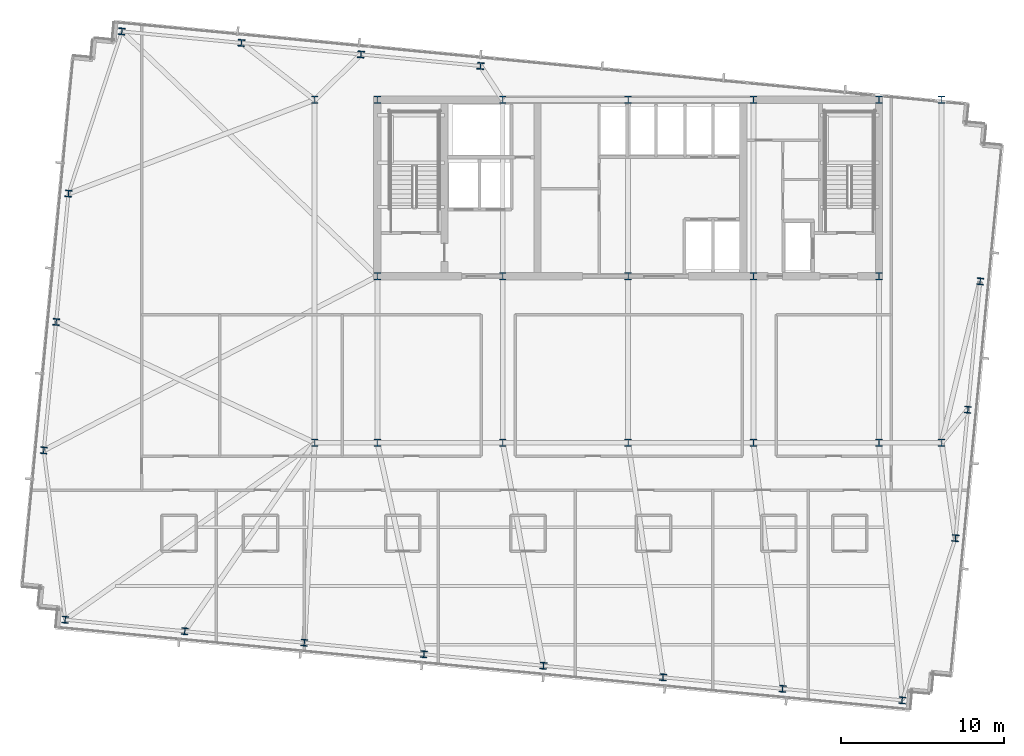
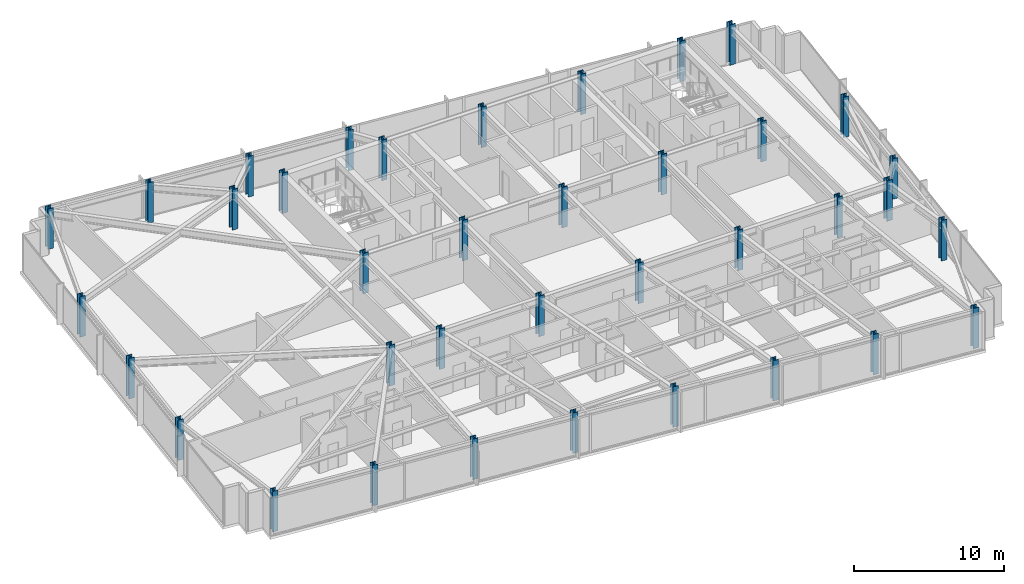
# One storey, part 1 of 37: 37 columns.
"""IFC4 building model written with IfcOpenShell, lengths in metres."""

from ifc_helpers import new_model, si_unit, direction, frame, origin, origin_2d, place, context, subcontext, project, spatial, i_section, extrude, material, material_profile, profile_set, type_object, element, save


model = new_model("IFC4")

# Units and contexts
model_context = context("Model", 3, precision=1e-05, world=origin(), true_north=direction((0.0, 1.0)))
body_context = subcontext(model_context, "Body", "Model", "MODEL_VIEW")
ifc_project = project(units=[si_unit("LENGTHUNIT", "METRE"), si_unit("AREAUNIT", "SQUARE_METRE"), si_unit("VOLUMEUNIT", "CUBIC_METRE"), si_unit("PLANEANGLEUNIT", "RADIAN"), si_unit("MASSUNIT", "GRAM", prefix="KILO")], contexts=[model_context])

# Site, building, storey
site_placement = place(None, origin())
site = spatial("IfcSite", under=ifc_project, at=site_placement, CompositionType="ELEMENT")
building_placement = place(site_placement, origin())
building = spatial("IfcBuilding", under=site, at=building_placement, Name="Yelkora Congress Tower", CompositionType="ELEMENT")
storey_placement = place(building_placement, frame((0.0, 0.0, 168.800048828125)))
storey = spatial("IfcBuildingStorey", under=building, at=storey_placement, Name="L46", CompositionType="ELEMENT", Elevation=168.800048828125)

# Columns
ifc_material = material(Name="Steel S460M", Category="steel")
ifc_material_profile_1 = material_profile(ifc_material, i_section(OverallWidth=0.406005859375, OverallDepth=0.416015625, WebThickness=0.02978515625, FlangeThickness=0.048095703125, FilletRadius=0.014892578125, at=origin_2d()), Name="HD 400x382")
ifc_profile_set_1 = profile_set([ifc_material_profile_1], Name="Steel S460M")
column_type_1 = type_object("IfcColumnType", Name="COL-HD-382-EXT", PredefinedType="COLUMN", material=ifc_profile_set_1)
for number, where, z_axis, x_axis, name in (
    (1, (3.919189453125, 14.357421875, 0.0), (0.0, 0.0, 1.0), (0.995396198367, -0.09584575252, 0.0), "L46 Perimeter Column S01"),
    (2, (11.242431640625, 13.652099609375, 0.0), (0.0, 0.0, 1.0), (0.995396198367, -0.09584575252, 0.0), "L46 Perimeter Column S02"),
    (3, (18.56591796875, 12.947021484375, 0.0), (0.0, 0.0, 1.0), (0.995396198367, -0.09584575252, 0.0), "L46 Perimeter Column S03"),
    (4, (25.888916015625, 12.24169921875, 0.0), (0.0, 0.0, 1.0), (0.995396198367, -0.09584575252, 0.0), "L46 Perimeter Column S04"),
    (5, (33.21240234375, 11.53662109375, 0.0), (0.0, 0.0, 1.0), (0.995396198367, -0.09584575252, 0.0), "L46 Perimeter Column S05"),
    (6, (40.53564453125, 10.83154296875, 0.0), (0.0, 0.0, 1.0), (0.995396198367, -0.09584575252, 0.0), "L46 Perimeter Column S06"),
    (7, (47.85888671875, 10.12646484375, 0.0), (0.0, 0.0, 1.0), (0.995396198367, -0.09584575252, 0.0), "L46 Perimeter Column S07"),
    (8, (55.18212890625, 9.421142578125, 0.0), (0.0, 0.0, 1.0), (0.995396198367, -0.09584575252, 0.0), "L46 Perimeter Column S08"),
    (9, (7.388916015625, 50.390625, 0.0), (0.0, 0.0, 1.0), (0.995396198367, -0.09584575252, 0.0), "L46 Perimeter Column N01"),
    (10, (14.712158203125, 49.685546875, 0.0), (0.0, 0.0, 1.0), (0.995396198367, -0.09584575252, 0.0), "L46 Perimeter Column N02"),
    (11, (22.035400390625, 48.980224609375, 0.0), (0.0, 0.0, 1.0), (0.995396198367, -0.09584575252, 0.0), "L46 Perimeter Column N03"),
    (12, (29.358642578125, 48.275146484375, 0.0), (0.0, 0.0, 1.0), (0.995396198367, -0.09584575252, 0.0), "L46 Perimeter Column N04"),
    (13, (2.607421875, 24.730712890625, 0.0), (0.0, 0.0, 1.0), (0.995396198367, -0.09584575252, 0.0), "L46 Perimeter Column W01"),
    (14, (58.44921875, 19.353759765625, 0.0), (0.0, 0.0, 1.0), (0.995396198367, -0.09584575252, 0.0), "L46 Perimeter Column E01"),
    (15, (3.364501953125, 32.594482421875, 0.0), (0.0, 0.0, 1.0), (0.995396198367, -0.09584575252, 0.0), "L46 Perimeter Column W02"),
    (16, (59.206298828125, 27.217529296875, 0.0), (0.0, 0.0, 1.0), (0.995396198367, -0.09584575252, 0.0), "L46 Perimeter Column E02"),
    (17, (4.121826171875, 40.4580078125, 0.0), (0.0, 0.0, 1.0), (0.995396198367, -0.09584575252, 0.0), "L46 Perimeter Column W03"),
    (18, (59.96337890625, 35.0810546875, 0.0), (0.0, 0.0, 1.0), (0.995396198367, -0.09584575252, 0.0), "L46 Perimeter Column E03"),
):
    element("IfcColumn", number, at=place(storey_placement, frame(where, z_axis=z_axis, x_axis=x_axis)), inside=storey, type_object=column_type_1, Name=name, PredefinedType="COLUMN", context=body_context, shape_type="SweptSolid", body=[
        extrude(i_section(OverallWidth=0.406005859375, OverallDepth=0.416015625, WebThickness=0.02978515625, FlangeThickness=0.048095703125, FilletRadius=0.014892578125, at=origin_2d()), origin(), (0.0, 0.0, 1.0), 3.300048828125),
    ])
ifc_material_profile_2 = material_profile(ifc_material, i_section(OverallWidth=0.41796875, OverallDepth=0.455078125, WebThickness=0.0419921875, FlangeThickness=0.068115234375, FilletRadius=0.014892578125, at=origin_2d()), Name="HD 400x551")
ifc_profile_set_2 = profile_set([ifc_material_profile_2], Name="Steel S460M")
column_type_2 = type_object("IfcColumnType", Name="COL-HD-551", PredefinedType="COLUMN", material=ifc_profile_set_2)
for number, where, z_axis, x_axis, name in (
    (19, (23.0400390625, 35.39990234375, 0.0), (0.0, 0.0, 1.0), (1.0, 0.0, 0.0), "L46 Mega Column MC-S1"),
    (20, (23.0400390625, 46.199951171875, 0.0), (0.0, 0.0, 1.0), (1.0, 0.0, 0.0), "L46 Mega Column MC-N1"),
    (21, (23.0400390625, 25.199951171875, 0.0), (0.0, 0.0, 1.0), (1.0, 0.0, 0.0), "L46 Mega Column MC-D1"),
    (22, (30.719970703125, 35.39990234375, 0.0), (0.0, 0.0, 1.0), (1.0, 0.0, 0.0), "L46 Mega Column MC-S2"),
    (23, (30.719970703125, 46.199951171875, 0.0), (0.0, 0.0, 1.0), (1.0, 0.0, 0.0), "L46 Mega Column MC-N2"),
    (24, (30.719970703125, 25.199951171875, 0.0), (0.0, 0.0, 1.0), (1.0, 0.0, 0.0), "L46 Mega Column MC-D2"),
    (25, (38.39990234375, 35.39990234375, 0.0), (0.0, 0.0, 1.0), (1.0, 0.0, 0.0), "L46 Mega Column MC-S3"),
    (26, (38.39990234375, 46.199951171875, 0.0), (0.0, 0.0, 1.0), (1.0, 0.0, 0.0), "L46 Mega Column MC-N3"),
    (27, (38.39990234375, 25.199951171875, 0.0), (0.0, 0.0, 1.0), (1.0, 0.0, 0.0), "L46 Mega Column MC-D3"),
    (28, (46.080078125, 35.39990234375, 0.0), (0.0, 0.0, 1.0), (1.0, 0.0, 0.0), "L46 Mega Column MC-S4"),
    (29, (46.080078125, 46.199951171875, 0.0), (0.0, 0.0, 1.0), (1.0, 0.0, 0.0), "L46 Mega Column MC-N4"),
    (30, (46.080078125, 25.199951171875, 0.0), (0.0, 0.0, 1.0), (1.0, 0.0, 0.0), "L46 Mega Column MC-D4"),
    (31, (53.760009765625, 35.39990234375, 0.0), (0.0, 0.0, 1.0), (1.0, 0.0, 0.0), "L46 Mega Column MC-S5"),
    (32, (53.760009765625, 46.199951171875, 0.0), (0.0, 0.0, 1.0), (1.0, 0.0, 0.0), "L46 Mega Column MC-N5"),
    (33, (53.760009765625, 25.199951171875, 0.0), (0.0, 0.0, 1.0), (1.0, 0.0, 0.0), "L46 Mega Column MC-D5"),
    (34, (19.199951171875, 25.199951171875, 0.0), (0.0, 0.0, 1.0), (1.0, 0.0, 0.0), "L46 Mega Column MC-F1"),
    (35, (57.60009765625, 25.199951171875, 0.0), (0.0, 0.0, 1.0), (1.0, 0.0, 0.0), "L46 Mega Column MC-F2"),
    (36, (19.199951171875, 46.199951171875, 0.0), (0.0, 0.0, 1.0), (1.0, 0.0, 0.0), "L46 Mega Column MC-F3"),
    (37, (57.60009765625, 46.199951171875, 0.0), (0.0, 0.0, 1.0), (1.0, 0.0, 0.0), "L46 Mega Column MC-F4"),
):
    element("IfcColumn", number, at=place(storey_placement, frame(where, z_axis=z_axis, x_axis=x_axis)), inside=storey, type_object=column_type_2, Name=name, PredefinedType="COLUMN", context=body_context, shape_type="SweptSolid", body=[
        extrude(i_section(OverallWidth=0.41796875, OverallDepth=0.455078125, WebThickness=0.0419921875, FlangeThickness=0.068115234375, FilletRadius=0.014892578125, at=origin_2d()), origin(), (0.0, 0.0, 1.0), 3.300048828125),
    ])

save(model, "model.ifc")
